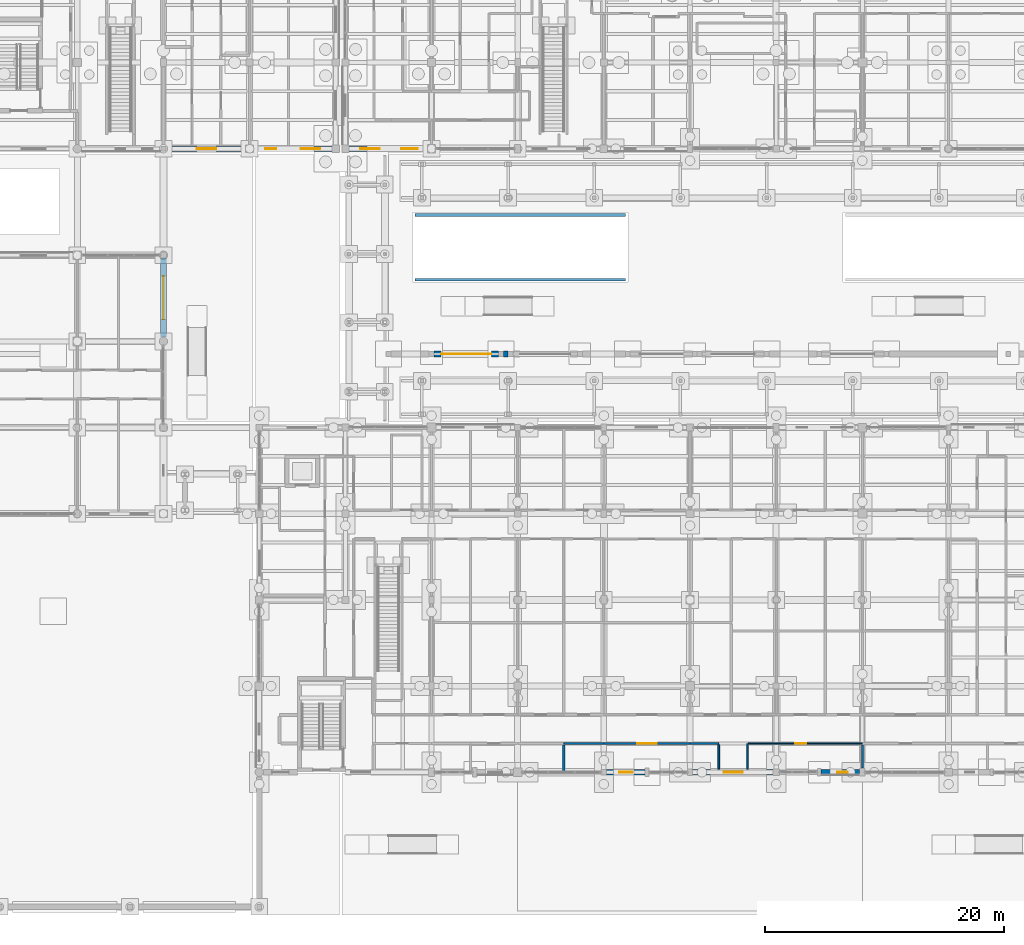
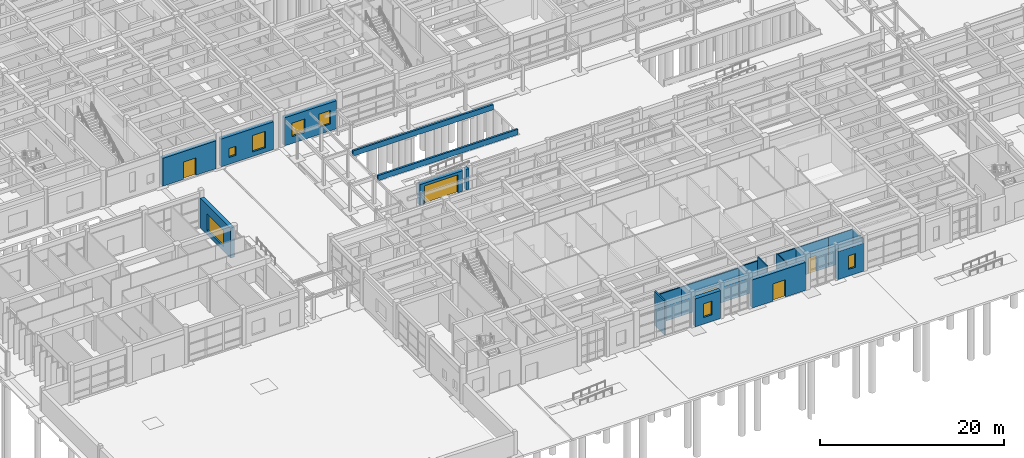
# One storey, part 98 of 143: 21 walls, 7 windows, 5 doors, 12 openings.
"""IFC4 building model written with IfcOpenShell, lengths in metres."""

from ifc_helpers import new_model, si_unit, direction, frame, frame_2d, origin, place, context, subcontext, project, spatial, rectangle, extrude, material, layer, layer_set, type_object, element, fill, save


model = new_model("IFC4")

# Units and contexts
model_context = context("Model", 3, precision=1e-05, world=origin(), true_north=direction((0.0, 1.0)))
body_context = subcontext(model_context, "Body", "Model", "MODEL_VIEW")
ifc_project = project(units=[si_unit("LENGTHUNIT", "METRE"), si_unit("AREAUNIT", "SQUARE_METRE"), si_unit("VOLUMEUNIT", "CUBIC_METRE"), si_unit("PLANEANGLEUNIT", "RADIAN"), si_unit("MASSUNIT", "GRAM", prefix="KILO")], contexts=[model_context])

# Site, building, storey
site_placement = place(None, origin())
site = spatial("IfcSite", under=ifc_project, at=site_placement, CompositionType="ELEMENT")
building_placement = place(site_placement, origin())
building = spatial("IfcBuilding", under=site, at=building_placement, Name="Steenspoor Specialist Clinic", CompositionType="ELEMENT")
storey_placement = place(building_placement, origin())
storey = spatial("IfcBuildingStorey", under=building, at=storey_placement, Name="L00", CompositionType="ELEMENT", Elevation=0.0)

# Wall, opening, window
ifc_material_1 = material(Name="Volcanic basalt ashlar masonry", Category="masonry")
ifc_layer_1 = layer(ifc_material_1, 0.47998046875)
ifc_layer_set_1 = layer_set([ifc_layer_1], Name="Volcanic basalt ashlar masonry")
wall_type_1 = type_object("IfcWallType", Name="W-BASALT-480", PredefinedType="SOLIDWALL", material=ifc_layer_set_1)
wall_1_placement = place(storey_placement, frame((95.375, 13.050048828125, 0.0), z_axis=(0.0, 0.0, 1.0), x_axis=(-1.0, 0.0, 0.0)))
wall_1 = element("IfcWall", 1, at=wall_1_placement, inside=storey, type_object=wall_type_1, Name="Exterior Brick Wall EW-V1-L00-0003", PredefinedType="SOLIDWALL", context=body_context, shape_type="SweptSolid", body=[
    extrude(rectangle(XDim=3.22509765625, YDim=0.47998046875, at=frame_2d((1.612548828125, 0.0))), origin(), (0.0, 0.0, 1.0), 3.72998046875),
])
opening_1_placement = place(wall_1_placement, frame((0.9775390625, 0.0, 0.89990234375)))
opening_1 = element("IfcOpeningElement", 2, at=opening_1_placement, cuts=wall_1, Name="Opening WN-03", PredefinedType="OPENING", context=body_context, shape_type="SweptSolid", body=[
    extrude(rectangle(XDim=0.89990234375, YDim=1.800048828125, at=frame_2d((0.449951171875, 0.89990234375))), frame((0.0, 0.25, 0.0), z_axis=(0.0, -1.0, 0.0), x_axis=(1.0, 0.0, 0.0)), (0.0, 0.0, 1.0), 0.5),
])
ifc_material_2 = material(Name="Thermally broken aluminium and low-emissivity glass", Category="aluminium")
window_type_1 = type_object("IfcWindowType", Name="WN-EXT-090X180", PartitioningType="SINGLE_PANEL", PredefinedType="WINDOW", material=ifc_material_2)
window_1_placement = place(opening_1_placement, origin())
window_1 = element("IfcWindow", 3, at=window_1_placement, inside=storey, type_object=window_type_1, Name="Window 0003", OverallHeight=1.800048828125, OverallWidth=0.89990234375, PartitioningType="SINGLE_PANEL", PredefinedType="WINDOW", context=body_context, shape_type="SweptSolid", body=[
    extrude(rectangle(XDim=0.89990234375, YDim=1.800048828125, at=frame_2d((0.449951171875, 0.89990234375))), frame((0.0, 0.030029296875, 0.0), z_axis=(0.0, -1.0, 0.0), x_axis=(1.0, 0.0, 0.0)), (0.0, 0.0, 1.0), 0.06005859375),
])
fill(opening_1, window_1)

# Wall, opening, door
wall_2_placement = place(storey_placement, frame((88.125, 13.050048828125, 0.0), z_axis=(0.0, 0.0, 1.0), x_axis=(-1.0, 0.0, 0.0)))
wall_2 = element("IfcWall", 4, at=wall_2_placement, inside=storey, type_object=wall_type_1, Name="Exterior Brick Wall EW-V1-L00-0004", PredefinedType="SOLIDWALL", context=body_context, shape_type="SweptSolid", body=[
    extrude(rectangle(XDim=6.72509765625, YDim=0.47998046875, at=frame_2d((3.362548828125, 0.0))), origin(), (0.0, 0.0, 1.0), 3.72998046875),
])
opening_2_placement = place(wall_2_placement, frame((2.52490234375, 0.0, 0.0)))
opening_2 = element("IfcOpeningElement", 5, at=opening_2_placement, cuts=wall_2, Name="Opening ED12", PredefinedType="OPENING", context=body_context, shape_type="SweptSolid", body=[
    extrude(rectangle(XDim=1.60009765625, YDim=2.300048828125, at=frame_2d((0.800048828125, 1.14990234375))), frame((0.0, 0.25, 0.0), z_axis=(0.0, -1.0, 0.0), x_axis=(1.0, 0.0, 0.0)), (0.0, 0.0, 1.0), 0.5),
])
ifc_material_3 = material(Name="Anodised aluminium and safety glass", Category="aluminium")
door_type_1 = type_object("IfcDoorType", Name="DT-EXIT-160X230", OperationType="NOTDEFINED", PredefinedType="DOOR", material=ifc_material_3)
door_1_placement = place(opening_2_placement, origin())
door_1 = element("IfcDoor", 6, at=door_1_placement, inside=storey, type_object=door_type_1, Name="Main Pedestrian Entrance Exit ED12", OperationType="DOUBLE_DOOR_SINGLE_SWING", OverallHeight=2.300048828125, OverallWidth=1.60009765625, PredefinedType="DOOR", context=body_context, shape_type="SweptSolid", body=[
    extrude(rectangle(XDim=1.60009765625, YDim=2.300048828125, at=frame_2d((0.800048828125, 1.14990234375))), frame((0.0, 0.02490234375, 0.0), z_axis=(0.0, -1.0, 0.0), x_axis=(1.0, 0.0, 0.0)), (0.0, 0.0, 1.0), 0.050048828125),
])
fill(opening_2, door_1)

# Wall, opening, window
wall_3_placement = place(storey_placement, frame((77.429931640625, 13.050048828125, 0.0), z_axis=(0.0, 0.0, 1.0), x_axis=(-1.0, 0.0, 0.0)))
wall_3 = element("IfcWall", 7, at=wall_3_placement, inside=storey, type_object=wall_type_1, Name="Exterior Brick Wall EW-V1-L00-0005", PredefinedType="SOLIDWALL", context=body_context, shape_type="SweptSolid", body=[
    extrude(rectangle(XDim=3.204833984375, YDim=0.47998046875, at=frame_2d((1.6025390625, 0.0))), origin(), (0.0, 0.0, 1.0), 3.72998046875),
])
opening_3_placement = place(wall_3_placement, frame((1.077392578125, 0.0, 0.89990234375)))
opening_3 = element("IfcOpeningElement", 8, at=opening_3_placement, cuts=wall_3, Name="Opening WN-04", PredefinedType="OPENING", context=body_context, shape_type="SweptSolid", body=[
    extrude(rectangle(XDim=1.050048828125, YDim=1.800048828125, at=frame_2d((0.52490234375, 0.89990234375))), frame((0.0, 0.25, 0.0), z_axis=(0.0, -1.0, 0.0), x_axis=(1.0, 0.0, 0.0)), (0.0, 0.0, 1.0), 0.5),
])
window_type_2 = type_object("IfcWindowType", Name="WN-EXT-105X180", PartitioningType="SINGLE_PANEL", PredefinedType="WINDOW", material=ifc_material_2)
window_2_placement = place(opening_3_placement, origin())
window_2 = element("IfcWindow", 9, at=window_2_placement, inside=storey, type_object=window_type_2, Name="Window 0004", OverallHeight=1.800048828125, OverallWidth=1.050048828125, PartitioningType="SINGLE_PANEL", PredefinedType="WINDOW", context=body_context, shape_type="SweptSolid", body=[
    extrude(rectangle(XDim=1.050048828125, YDim=1.800048828125, at=frame_2d((0.52490234375, 0.89990234375))), frame((0.0, 0.030029296875, 0.0), z_axis=(0.0, -1.0, 0.0), x_axis=(1.0, 0.0, 0.0)), (0.0, 0.0, 1.0), 0.06005859375),
])
fill(opening_3, window_2)

wall_4_placement = place(storey_placement, frame((37.199951171875, 56.0, 0.0), z_axis=(0.0, 0.0, 1.0), x_axis=(0.0, -1.0, 0.0)))
wall_4 = element("IfcWall", 10, at=wall_4_placement, inside=storey, type_object=wall_type_1, Name="Exterior Brick Wall EW-V3-L00-0076", PredefinedType="SOLIDWALL", context=body_context, shape_type="SweptSolid", body=[
    extrude(rectangle(XDim=6.60009765625, YDim=0.47998046875, at=frame_2d((3.300048828125, 0.0))), origin(), (0.0, 0.0, 1.0), 3.97998046875),
])
opening_4_placement = place(wall_4_placement, frame((1.5, 0.0, 0.60009765625)))
opening_4 = element("IfcOpeningElement", 11, at=opening_4_placement, cuts=wall_4, Name="Opening WN-20", PredefinedType="OPENING", context=body_context, shape_type="SweptSolid", body=[
    extrude(rectangle(XDim=3.60009765625, YDim=2.199951171875, at=frame_2d((1.800048828125, 1.10009765625))), frame((0.0, 0.25, 0.0), z_axis=(0.0, -1.0, 0.0), x_axis=(1.0, 0.0, 0.0)), (0.0, 0.0, 1.0), 0.5),
])
window_type_3 = type_object("IfcWindowType", Name="WN-EXT-360X220", PartitioningType="SINGLE_PANEL", PredefinedType="WINDOW", material=ifc_material_2)
window_3_placement = place(opening_4_placement, origin())
window_3 = element("IfcWindow", 12, at=window_3_placement, inside=storey, type_object=window_type_3, Name="Window 0092", OverallHeight=2.199951171875, OverallWidth=3.60009765625, PartitioningType="SINGLE_PANEL", PredefinedType="WINDOW", context=body_context, shape_type="SweptSolid", body=[
    extrude(rectangle(XDim=3.60009765625, YDim=2.199951171875, at=frame_2d((1.800048828125, 1.10009765625))), frame((0.0, 0.030029296875, 0.0), z_axis=(0.0, -1.0, 0.0), x_axis=(1.0, 0.0, 0.0)), (0.0, 0.0, 1.0), 0.06005859375),
])
fill(opening_4, window_3)

# Wall, openings, windows
wall_5_placement = place(storey_placement, frame((59.25, 65.14990234375, 0.0), z_axis=(0.0, 0.0, 1.0), x_axis=(-1.0, 0.0, 0.0)))
wall_5 = element("IfcWall", 13, at=wall_5_placement, inside=storey, type_object=wall_type_1, Name="Exterior Brick Wall EW-V4-L00-0083", PredefinedType="SOLIDWALL", context=body_context, shape_type="SweptSolid", body=[
    extrude(rectangle(XDim=6.550048828125, YDim=0.47998046875, at=frame_2d((3.27490234375, 0.0))), origin(), (0.0, 0.0, 1.0), 3.72998046875),
])
opening_5_placement = place(wall_5_placement, frame((0.7900390625, 0.0, 0.89990234375)))
opening_5 = element("IfcOpeningElement", 14, at=opening_5_placement, cuts=wall_5, Name="Opening WN-06", PredefinedType="OPENING", context=body_context, shape_type="SweptSolid", body=[
    extrude(rectangle(XDim=1.39990234375, YDim=1.800048828125, at=frame_2d((0.699951171875, 0.89990234375))), frame((0.0, 0.25, 0.0), z_axis=(0.0, -1.0, 0.0), x_axis=(1.0, 0.0, 0.0)), (0.0, 0.0, 1.0), 0.5),
])
opening_6_placement = place(wall_5_placement, frame((3.985107421875, 0.0, 0.89990234375)))
opening_6 = element("IfcOpeningElement", 15, at=opening_6_placement, cuts=wall_5, Name="Opening WN-07", PredefinedType="OPENING", context=body_context, shape_type="SweptSolid", body=[
    extrude(rectangle(XDim=1.60009765625, YDim=1.800048828125, at=frame_2d((0.800048828125, 0.89990234375))), frame((0.0, 0.25, 0.0), z_axis=(0.0, -1.0, 0.0), x_axis=(1.0, 0.0, 0.0)), (0.0, 0.0, 1.0), 0.5),
])
window_type_4 = type_object("IfcWindowType", Name="WN-EXT-140X180", PartitioningType="SINGLE_PANEL", PredefinedType="WINDOW", material=ifc_material_2)
window_4_placement = place(opening_5_placement, origin())
window_4 = element("IfcWindow", 16, at=window_4_placement, inside=storey, type_object=window_type_4, Name="Window 0102", OverallHeight=1.800048828125, OverallWidth=1.39990234375, PartitioningType="SINGLE_PANEL", PredefinedType="WINDOW", context=body_context, shape_type="SweptSolid", body=[
    extrude(rectangle(XDim=1.39990234375, YDim=1.800048828125, at=frame_2d((0.699951171875, 0.89990234375))), frame((0.0, 0.030029296875, 0.0), z_axis=(0.0, -1.0, 0.0), x_axis=(1.0, 0.0, 0.0)), (0.0, 0.0, 1.0), 0.06005859375),
])
fill(opening_5, window_4)
window_type_5 = type_object("IfcWindowType", Name="WN-EXT-160X180", PartitioningType="SINGLE_PANEL", PredefinedType="WINDOW", material=ifc_material_2)
window_5_placement = place(opening_6_placement, origin())
window_5 = element("IfcWindow", 17, at=window_5_placement, inside=storey, type_object=window_type_5, Name="Window 0103", OverallHeight=1.800048828125, OverallWidth=1.60009765625, PartitioningType="SINGLE_PANEL", PredefinedType="WINDOW", context=body_context, shape_type="SweptSolid", body=[
    extrude(rectangle(XDim=1.60009765625, YDim=1.800048828125, at=frame_2d((0.800048828125, 0.89990234375))), frame((0.0, 0.030029296875, 0.0), z_axis=(0.0, -1.0, 0.0), x_axis=(1.0, 0.0, 0.0)), (0.0, 0.0, 1.0), 0.06005859375),
])
fill(opening_6, window_5)

wall_6_placement = place(storey_placement, frame((51.300048828125, 65.14990234375, 0.0), z_axis=(0.0, 0.0, 1.0), x_axis=(-1.0, 0.0, 0.0)))
wall_6 = element("IfcWall", 18, at=wall_6_placement, inside=storey, type_object=wall_type_1, Name="Exterior Brick Wall EW-V5-L00-0232", PredefinedType="SOLIDWALL", context=body_context, shape_type="SweptSolid", body=[
    extrude(rectangle(XDim=6.574951171875, YDim=0.47998046875, at=frame_2d((3.28759765625, 0.0))), origin(), (0.0, 0.0, 1.0), 3.699951171875),
])
opening_7_placement = place(wall_6_placement, frame((1.014892578125, 0.0, 0.60009765625)))
opening_7 = element("IfcOpeningElement", 19, at=opening_7_placement, cuts=wall_6, Name="Opening WN-16", PredefinedType="OPENING", context=body_context, shape_type="SweptSolid", body=[
    extrude(rectangle(XDim=1.60009765625, YDim=2.199951171875, at=frame_2d((0.800048828125, 1.10009765625))), frame((0.0, 0.25, 0.0), z_axis=(0.0, -1.0, 0.0), x_axis=(1.0, 0.0, 0.0)), (0.0, 0.0, 1.0), 0.5),
])
opening_8_placement = place(wall_6_placement, frame((4.672607421875, 0.0, 0.89990234375)))
opening_8 = element("IfcOpeningElement", 20, at=opening_8_placement, cuts=wall_6, Name="Opening WN-21", PredefinedType="OPENING", context=body_context, shape_type="SweptSolid", body=[
    extrude(rectangle(XDim=0.89990234375, YDim=1.199951171875, at=frame_2d((0.449951171875, 0.60009765625))), frame((0.0, 0.25, 0.0), z_axis=(0.0, -1.0, 0.0), x_axis=(1.0, 0.0, 0.0)), (0.0, 0.0, 1.0), 0.5),
])
window_type_6 = type_object("IfcWindowType", Name="WN-EXT-090X120", PartitioningType="SINGLE_PANEL", PredefinedType="WINDOW", material=ifc_material_2)
window_6_placement = place(opening_8_placement, origin())
window_6 = element("IfcWindow", 21, at=window_6_placement, inside=storey, type_object=window_type_6, Name="Window 0254", OverallHeight=1.199951171875, OverallWidth=0.89990234375, PartitioningType="SINGLE_PANEL", PredefinedType="WINDOW", context=body_context, shape_type="SweptSolid", body=[
    extrude(rectangle(XDim=0.89990234375, YDim=1.199951171875, at=frame_2d((0.449951171875, 0.60009765625))), frame((0.0, 0.030029296875, 0.0), z_axis=(0.0, -1.0, 0.0), x_axis=(1.0, 0.0, 0.0)), (0.0, 0.0, 1.0), 0.06005859375),
])
fill(opening_8, window_6)
window_type_7 = type_object("IfcWindowType", Name="WN-EXT-160X220", PartitioningType="SINGLE_PANEL", PredefinedType="WINDOW", material=ifc_material_2)
window_7_placement = place(opening_7_placement, origin())
window_7 = element("IfcWindow", 22, at=window_7_placement, inside=storey, type_object=window_type_7, Name="Window 0253", OverallHeight=2.199951171875, OverallWidth=1.60009765625, PartitioningType="SINGLE_PANEL", PredefinedType="WINDOW", context=body_context, shape_type="SweptSolid", body=[
    extrude(rectangle(XDim=1.60009765625, YDim=2.199951171875, at=frame_2d((0.800048828125, 1.10009765625))), frame((0.0, 0.030029296875, 0.0), z_axis=(0.0, -1.0, 0.0), x_axis=(1.0, 0.0, 0.0)), (0.0, 0.0, 1.0), 0.06005859375),
])
fill(opening_7, window_7)

# Wall, opening, door
wall_7_placement = place(storey_placement, frame((44.074951171875, 65.14990234375, 0.0), z_axis=(0.0, 0.0, 1.0), x_axis=(-1.0, 0.0, 0.0)))
wall_7 = element("IfcWall", 23, at=wall_7_placement, inside=storey, type_object=wall_type_1, Name="Exterior Brick Wall EW-V5-L00-0233", PredefinedType="SOLIDWALL", context=body_context, shape_type="SweptSolid", body=[
    extrude(rectangle(XDim=6.675048828125, YDim=0.47998046875, at=frame_2d((3.33740234375, 0.0))), origin(), (0.0, 0.0, 1.0), 3.699951171875),
])
opening_9_placement = place(wall_7_placement, frame((2.47509765625, 0.0, 0.0)))
opening_9 = element("IfcOpeningElement", 24, at=opening_9_placement, cuts=wall_7, Name="Opening ED32", PredefinedType="OPENING", context=body_context, shape_type="SweptSolid", body=[
    extrude(rectangle(XDim=1.60009765625, YDim=2.300048828125, at=frame_2d((0.800048828125, 1.14990234375))), frame((0.0, 0.25, 0.0), z_axis=(0.0, -1.0, 0.0), x_axis=(1.0, 0.0, 0.0)), (0.0, 0.0, 1.0), 0.5),
])
door_2_placement = place(opening_9_placement, origin())
door_2 = element("IfcDoor", 25, at=door_2_placement, inside=storey, type_object=door_type_1, Name="Main Pedestrian Entrance Exit ED32", OperationType="DOUBLE_DOOR_SINGLE_SWING", OverallHeight=2.300048828125, OverallWidth=1.60009765625, PredefinedType="DOOR", context=body_context, shape_type="SweptSolid", body=[
    extrude(rectangle(XDim=1.60009765625, YDim=2.300048828125, at=frame_2d((0.800048828125, 1.14990234375))), frame((0.0, 0.02490234375, 0.0), z_axis=(0.0, -1.0, 0.0), x_axis=(1.0, 0.0, 0.0)), (0.0, 0.0, 1.0), 0.050048828125),
])
fill(opening_9, door_2)

# Wall
wall_8_placement = place(storey_placement, frame((65.610107421875, 48.0, 0.0), z_axis=(0.0, 0.0, 1.0), x_axis=(1.0, 0.0, 0.0)))
element("IfcWall", 26, at=wall_8_placement, inside=storey, type_object=wall_type_1, Name="Campus Courtyard Screen Wall YW-CT-02", PredefinedType="SOLIDWALL", context=body_context, shape_type="SweptSolid", body=[
    extrude(rectangle(XDim=0.3798828125, YDim=0.47998046875, at=frame_2d((0.18994140625, 0.0))), origin(), (0.0, 0.0, 1.0), 2.75),
])

# Wall, opening, door
wall_9_placement = place(storey_placement, frame((59.804931640625, 48.0, 0.0), z_axis=(0.0, 0.0, 1.0), x_axis=(1.0, 0.0, 0.0)))
wall_9 = element("IfcWall", 27, at=wall_9_placement, inside=storey, type_object=wall_type_1, Name="Portal Basalt Wall GT02", PredefinedType="SOLIDWALL", context=body_context, shape_type="SweptSolid", body=[
    extrude(rectangle(XDim=5.39013671875, YDim=0.47998046875, at=frame_2d((2.695068359375, 0.0))), origin(), (0.0, 0.0, 1.0), 2.75),
])
opening_10_placement = place(wall_9_placement, frame((0.594970703125, 0.0, 0.0)))
opening_10 = element("IfcOpeningElement", 28, at=opening_10_placement, cuts=wall_9, Name="Opening GT02", PredefinedType="OPENING", context=body_context, shape_type="SweptSolid", body=[
    extrude(rectangle(XDim=4.199951171875, YDim=2.39990234375, at=frame_2d((2.10009765625, 1.199951171875))), frame((0.0, 0.25, 0.0), z_axis=(0.0, -1.0, 0.0), x_axis=(1.0, 0.0, 0.0)), (0.0, 0.0, 1.0), 0.5),
])
ifc_material_4 = material(Name="Painted wrought-iron steel gate", Category="steel")
door_type_2 = type_object("IfcDoorType", Name="DT-GATE-420X240", OperationType="NOTDEFINED", PredefinedType="GATE", material=ifc_material_4)
door_3_placement = place(opening_10_placement, origin())
door_3 = element("IfcDoor", 29, at=door_3_placement, inside=storey, type_object=door_type_2, Name="Ambulance Court Gate GT02", OperationType="DOUBLE_DOOR_SINGLE_SWING", OverallHeight=2.39990234375, OverallWidth=4.199951171875, PredefinedType="GATE", context=body_context, shape_type="SweptSolid", body=[
    extrude(rectangle(XDim=4.199951171875, YDim=2.39990234375, at=frame_2d((2.10009765625, 1.199951171875))), frame((0.0, 0.02490234375, 0.0), z_axis=(0.0, -1.0, 0.0), x_axis=(1.0, 0.0, 0.0)), (0.0, 0.0, 1.0), 0.050048828125),
])
fill(opening_10, door_3)

# Wall
ifc_material_5 = material(Name="Gypsum acoustic clinical partition", Category="gypsum")
ifc_layer_2 = layer(ifc_material_5, 0.14990234375)
ifc_layer_set_2 = layer_set([ifc_layer_2], Name="Gypsum acoustic clinical partition")
wall_type_2 = type_object("IfcWallType", Name="W-CLIN-150", PredefinedType="PARTITIONING", material=ifc_layer_set_2)
wall_10_placement = place(storey_placement, frame((70.6650390625, 15.449951171875, 0.0), z_axis=(0.0, 0.0, 1.0), x_axis=(1.0, 0.0, 0.0)))
element("IfcWall", 30, at=wall_10_placement, inside=storey, type_object=wall_type_2, Name="Interior Partition IW-V1-L00-0149", PredefinedType="PARTITIONING", context=body_context, shape_type="SweptSolid", body=[
    extrude(rectangle(XDim=3.3349609375, YDim=0.14990234375, at=frame_2d((1.66748046875, 0.0))), origin(), (0.0, 0.0, 1.0), 3.8349609375),
])

# Wall, opening, door
wall_11_placement = place(storey_placement, frame((74.014892578125, 15.449951171875, 0.0), z_axis=(0.0, 0.0, 1.0), x_axis=(1.0, 0.0, 0.0)))
wall_11 = element("IfcWall", 31, at=wall_11_placement, inside=storey, type_object=wall_type_2, Name="Interior Partition IW-V1-L00-0150", PredefinedType="PARTITIONING", context=body_context, shape_type="SweptSolid", body=[
    extrude(rectangle(XDim=7.18505859375, YDim=0.14990234375, at=frame_2d((3.592529296875, 0.0))), origin(), (0.0, 0.0, 1.0), 3.8349609375),
])
opening_11_placement = place(wall_11_placement, frame((2.79248046875, 0.0, 0.0)))
opening_11 = element("IfcOpeningElement", 32, at=opening_11_placement, cuts=wall_11, Name="Opening D0005", PredefinedType="OPENING", context=body_context, shape_type="SweptSolid", body=[
    extrude(rectangle(XDim=1.60009765625, YDim=2.25, at=frame_2d((0.800048828125, 1.125))), frame((0.0, 0.0849609375, 0.0), z_axis=(0.0, -1.0, 0.0), x_axis=(1.0, 0.0, 0.0)), (0.0, 0.0, 1.0), 0.169921875),
])
ifc_material_6 = material(Name="Hygienic HPL clinical timber door", Category="wood")
door_type_3 = type_object("IfcDoorType", Name="DT-PROC-160X225", OperationType="NOTDEFINED", PredefinedType="DOOR", material=ifc_material_6)
door_4_placement = place(opening_11_placement, origin())
door_4 = element("IfcDoor", 33, at=door_4_placement, inside=storey, type_object=door_type_3, Name="Clinical Door D0005", OperationType="SINGLE_SWING_RIGHT", OverallHeight=2.25, OverallWidth=1.60009765625, PredefinedType="DOOR", context=body_context, shape_type="SweptSolid", body=[
    extrude(rectangle(XDim=1.60009765625, YDim=2.25, at=frame_2d((0.800048828125, 1.125))), frame((0.0, 0.02490234375, 0.0), z_axis=(0.0, -1.0, 0.0), x_axis=(1.0, 0.0, 0.0)), (0.0, 0.0, 1.0), 0.050048828125),
])
fill(opening_11, door_4)

# Walls
wall_12_placement = place(storey_placement, frame((81.215087890625, 15.449951171875, 0.0), z_axis=(0.0, 0.0, 1.0), x_axis=(1.0, 0.0, 0.0)))
element("IfcWall", 34, at=wall_12_placement, inside=storey, type_object=wall_type_2, Name="Interior Partition IW-V1-L00-0151", PredefinedType="PARTITIONING", context=body_context, shape_type="SweptSolid", body=[
    extrude(rectangle(XDim=2.385009765625, YDim=0.14990234375, at=frame_2d((1.1923828125, 0.0))), origin(), (0.0, 0.0, 1.0), 3.955078125),
])
wall_13_placement = place(storey_placement, frame((83.60009765625, 13.304931640625, 0.0), z_axis=(0.0, 0.0, 1.0), x_axis=(0.0, 1.0, 0.0)))
element("IfcWall", 35, at=wall_13_placement, inside=storey, type_object=wall_type_2, Name="Interior Partition IW-V1-L00-0152", PredefinedType="PARTITIONING", context=body_context, shape_type="SweptSolid", body=[
    extrude(rectangle(XDim=2.05517578125, YDim=0.14990234375, at=frame_2d((1.027587890625, 0.0))), origin(), (0.0, 0.0, 1.0), 4.550048828125),
])
ifc_material_7 = material(Name="Extruded clay brick masonry", Category="masonry")
ifc_layer_3 = layer(ifc_material_7, 0.239990234375)
ifc_layer_set_3 = layer_set([ifc_layer_3], Name="Extruded clay brick masonry")
wall_type_3 = type_object("IfcWallType", Name="W-PARAPET-240", PredefinedType="PARAPET", material=ifc_layer_set_3)
for number, where, z_axis, x_axis, name in (
    (36, (58.199951171875, 54.199951171875, 0.0), (0.0, 0.0, 1.0), (1.0, 0.0, 0.0), "Courtyard Planter Parapet PW-COURT-W1"),
    (37, (58.199951171875, 59.60009765625, 0.0), (0.0, 0.0, 1.0), (1.0, 0.0, 0.0), "Courtyard Planter Parapet PW-COURT-W2"),
):
    element("IfcWall", number, at=place(storey_placement, frame(where, z_axis=z_axis, x_axis=x_axis)), inside=storey, type_object=wall_type_3, Name=name, PredefinedType="PARAPET", context=body_context, shape_type="SweptSolid", body=[
        extrude(rectangle(XDim=17.60009765625, YDim=0.239990234375, at=frame_2d((8.800048828125, 0.0))), origin(), (0.0, 0.0, 1.0), 0.699951171875),
    ])
ifc_material_8 = material(Name="Gypsum studio partition board", Category="gypsum")
ifc_layer_4 = layer(ifc_material_8, 0.1201171875)
ifc_layer_set_4 = layer_set([ifc_layer_4], Name="Gypsum studio partition board")
wall_type_4 = type_object("IfcWallType", Name="W-PART-120", PredefinedType="PARTITIONING", material=ifc_layer_set_4)
wall_14_placement = place(storey_placement, frame((92.5, 15.449951171875, 0.0), z_axis=(0.0, 0.0, 1.0), x_axis=(1.0, 0.0, 0.0)))
element("IfcWall", 38, at=wall_14_placement, inside=storey, type_object=wall_type_4, Name="Interior Partition IW-V1-L00-0290", PredefinedType="PARTITIONING", context=body_context, shape_type="SweptSolid", body=[
    extrude(rectangle(XDim=3.0849609375, YDim=0.1201171875, at=frame_2d((1.54248046875, 0.0))), origin(), (0.0, 0.0, 1.0), 3.985107421875),
])
wall_15_placement = place(storey_placement, frame((86.0, 13.304931640625, 0.0), z_axis=(0.0, 0.0, 1.0), x_axis=(0.0, 1.0, 0.0)))
element("IfcWall", 39, at=wall_15_placement, inside=storey, type_object=wall_type_4, Name="Interior Partition IW-V1-L00-0291", PredefinedType="PARTITIONING", context=body_context, shape_type="SweptSolid", body=[
    extrude(rectangle(XDim=2.14501953125, YDim=0.1201171875, at=frame_2d((1.072509765625, 0.0))), origin(), (0.0, 0.0, 1.0), 4.114990234375),
])
wall_16_placement = place(storey_placement, frame((86.074951171875, 15.449951171875, 0.0), z_axis=(0.0, 0.0, 1.0), x_axis=(1.0, 0.0, 0.0)))
element("IfcWall", 40, at=wall_16_placement, inside=storey, type_object=wall_type_4, Name="Interior Partition IW-V1-L00-0292", PredefinedType="PARTITIONING", context=body_context, shape_type="SweptSolid", body=[
    extrude(rectangle(XDim=2.324951171875, YDim=0.1201171875, at=frame_2d((1.16259765625, 0.0))), origin(), (0.0, 0.0, 1.0), 3.955078125),
])

# Wall, opening, door
wall_17_placement = place(storey_placement, frame((88.4150390625, 15.449951171875, 0.0), z_axis=(0.0, 0.0, 1.0), x_axis=(1.0, 0.0, 0.0)))
wall_17 = element("IfcWall", 41, at=wall_17_placement, inside=storey, type_object=wall_type_4, Name="Interior Partition IW-V1-L00-0293", PredefinedType="PARTITIONING", context=body_context, shape_type="SweptSolid", body=[
    extrude(rectangle(XDim=4.070068359375, YDim=0.1201171875, at=frame_2d((2.03515625, 0.0))), origin(), (0.0, 0.0, 1.0), 3.955078125),
])
opening_12_placement = place(wall_17_placement, frame((1.56005859375, 0.0, 0.0)))
opening_12 = element("IfcOpeningElement", 42, at=opening_12_placement, cuts=wall_17, Name="Opening D0006", PredefinedType="OPENING", context=body_context, shape_type="SweptSolid", body=[
    extrude(rectangle(XDim=0.949951171875, YDim=2.10009765625, at=frame_2d((0.47509765625, 1.050048828125))), frame((0.0, 0.070068359375, 0.0), z_axis=(0.0, -1.0, 0.0), x_axis=(1.0, 0.0, 0.0)), (0.0, 0.0, 1.0), 0.14013671875),
])
ifc_material_9 = material(Name="Moisture-resistant HPL sanitary door", Category="wood")
door_type_4 = type_object("IfcDoorType", Name="DT-WC-095X210", OperationType="NOTDEFINED", PredefinedType="DOOR", material=ifc_material_9)
door_5_placement = place(opening_12_placement, origin())
door_5 = element("IfcDoor", 43, at=door_5_placement, inside=storey, type_object=door_type_4, Name="Clinical Door D0006", OperationType="SINGLE_SWING_LEFT", OverallHeight=2.10009765625, OverallWidth=0.949951171875, PredefinedType="DOOR", context=body_context, shape_type="SweptSolid", body=[
    extrude(rectangle(XDim=0.949951171875, YDim=2.10009765625, at=frame_2d((0.47509765625, 1.050048828125))), frame((0.0, 0.02490234375, 0.0), z_axis=(0.0, -1.0, 0.0), x_axis=(1.0, 0.0, 0.0)), (0.0, 0.0, 1.0), 0.050048828125),
])
fill(opening_12, door_5)

# Walls
ifc_material_10 = material(Name="Moisture-resistant gypsum plumbing wall", Category="gypsum")
ifc_layer_5 = layer(ifc_material_10, 0.179931640625)
ifc_layer_set_5 = layer_set([ifc_layer_5], Name="Moisture-resistant gypsum plumbing wall")
wall_type_5 = type_object("IfcWallType", Name="W-PLUMB-180", PredefinedType="PLUMBINGWALL", material=ifc_layer_set_5)
wall_18_placement = place(storey_placement, frame((70.64990234375, 13.155029296875, 0.0), z_axis=(0.0, 0.0, 1.0), x_axis=(0.0, 1.0, 0.0)))
element("IfcWall", 44, at=wall_18_placement, inside=storey, type_object=wall_type_5, Name="Interior Partition IW-V1-L00-0479", PredefinedType="PLUMBINGWALL", context=body_context, shape_type="SweptSolid", body=[
    extrude(rectangle(XDim=2.18994140625, YDim=0.179931640625, at=frame_2d((1.094970703125, 0.0))), origin(), (0.0, 0.0, 1.0), 4.550048828125),
])
wall_19_placement = place(storey_placement, frame((95.60009765625, 13.389892578125, 0.0), z_axis=(0.0, 0.0, 1.0), x_axis=(0.0, 1.0, 0.0)))
element("IfcWall", 45, at=wall_19_placement, inside=storey, type_object=wall_type_5, Name="Interior Partition IW-V1-L00-0480", PredefinedType="PLUMBINGWALL", context=body_context, shape_type="SweptSolid", body=[
    extrude(rectangle(XDim=1.955078125, YDim=0.179931640625, at=frame_2d((0.9775390625, 0.0))), origin(), (0.0, 0.0, 1.0), 3.985107421875),
])

save(model, "model.ifc")
